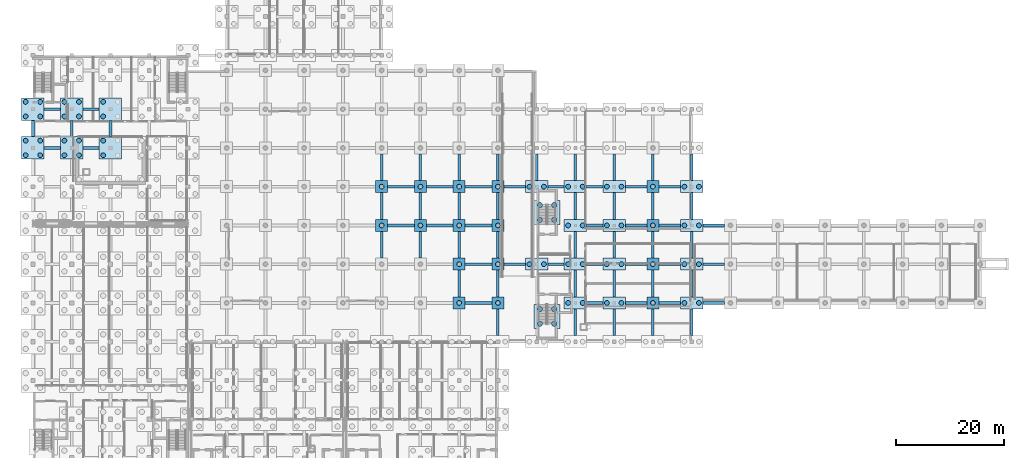
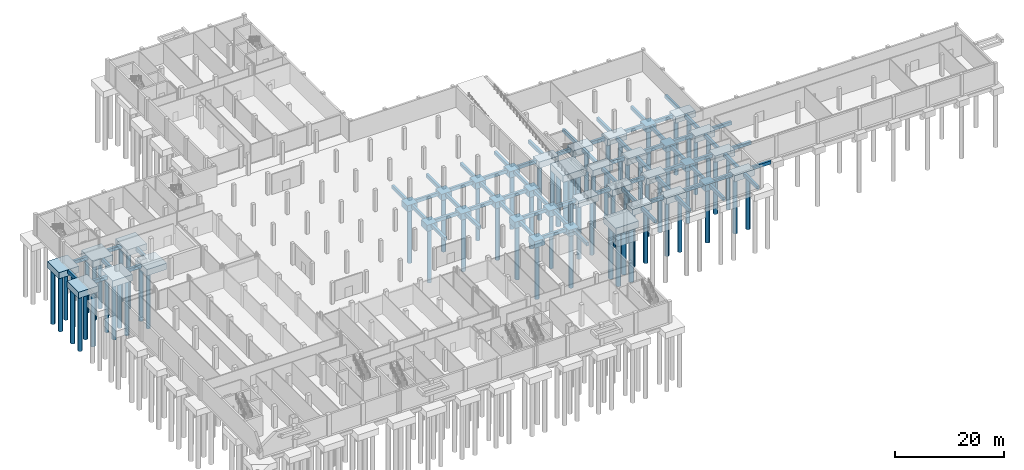
# One storey, part 5 of 35: 108 footings, 72 piles.
"""IFC4 building model written with IfcOpenShell, lengths in metres."""

from ifc_helpers import new_model, si_unit, direction, frame, origin, origin_2d, place, context, subcontext, project, spatial, rectangle, circle, extrude, material, material_profile, profile_set, type_object, element, save


model = new_model("IFC4")

# Units and contexts
model_context = context("Model", 3, precision=1e-05, world=origin(), true_north=direction((0.0, 1.0)))
body_context = subcontext(model_context, "Body", "Model", "MODEL_VIEW")
ifc_project = project(units=[si_unit("LENGTHUNIT", "METRE"), si_unit("AREAUNIT", "SQUARE_METRE"), si_unit("VOLUMEUNIT", "CUBIC_METRE"), si_unit("PLANEANGLEUNIT", "RADIAN"), si_unit("MASSUNIT", "GRAM", prefix="KILO")], contexts=[model_context])

# Site, building, storey
site_placement = place(None, origin())
site = spatial("IfcSite", under=ifc_project, at=site_placement, CompositionType="ELEMENT")
building_placement = place(site_placement, origin())
building = spatial("IfcBuilding", under=site, at=building_placement, Name="Zarrinpeak Specialist Clinic", CompositionType="ELEMENT")
storey_placement = place(building_placement, frame((0.0, 0.0, -4.800048828125)))
storey = spatial("IfcBuildingStorey", under=building, at=storey_placement, Name="B01", CompositionType="ELEMENT", Elevation=-4.800048828125)

# Footings
ifc_material = material(Name="Concrete C40/50", Category="concrete")
ifc_material_profile_1 = material_profile(ifc_material, rectangle(XDim=0.5, YDim=0.75, at=origin_2d()), Name="RC 500x750")
ifc_profile_set_1 = profile_set([ifc_material_profile_1], Name="Concrete C40/50")
footing_type_1 = type_object("IfcFootingType", Name="FT-GB1", PredefinedType="FOOTING_BEAM", material=ifc_profile_set_1)
footing_1_placement = place(storey_placement, frame((80.300048828125, 36.0, -0.77490234375), z_axis=(1.0, 0.0, 0.0), x_axis=(0.0, 1.0, 0.0)))
element("IfcFooting", 1, at=footing_1_placement, inside=storey, type_object=footing_type_1, Name="Continuous Ground Tie Beam GB-069", PredefinedType="FOOTING_BEAM", context=body_context, shape_type="SweptSolid", body=[
    extrude(rectangle(XDim=0.5, YDim=0.75, at=origin_2d()), origin(), (0.0, 0.0, 1.0), 5.0),
])
footing_2_placement = place(storey_placement, frame((102.89990234375, 36.0, -0.77490234375), z_axis=(1.0, 0.0, 0.0), x_axis=(0.0, 1.0, 0.0)))
element("IfcFooting", 2, at=footing_2_placement, inside=storey, type_object=footing_type_1, Name="Continuous Ground Tie Beam GB-070", PredefinedType="FOOTING_BEAM", context=body_context, shape_type="SweptSolid", body=[
    extrude(rectangle(XDim=0.5, YDim=0.75, at=origin_2d()), origin(), (0.0, 0.0, 1.0), 3.0),
])
for number, where, z_axis, x_axis, name in (
    (3, (110.10009765625, 36.0, -0.77490234375), (1.0, 0.0, 0.0), (0.0, 1.0, 0.0), "Continuous Ground Tie Beam GB-071"),
    (4, (116.300048828125, 36.0, -0.77490234375), (1.0, 0.0, 0.0), (0.0, 1.0, 0.0), "Continuous Ground Tie Beam GB-072"),
    (5, (124.5, 36.0, -0.77490234375), (1.0, 0.0, 0.0), (0.0, 1.0, 0.0), "Continuous Ground Tie Beam GB-073"),
):
    element("IfcFooting", number, at=place(storey_placement, frame(where, z_axis=z_axis, x_axis=x_axis)), inside=storey, type_object=footing_type_1, Name=name, PredefinedType="FOOTING_BEAM", context=body_context, shape_type="SweptSolid", body=[
        extrude(rectangle(XDim=0.5, YDim=0.75, at=origin_2d()), origin(), (0.0, 0.0, 1.0), 4.0),
    ])
footing_3_placement = place(storey_placement, frame((80.300048828125, 43.199951171875, -0.77490234375), z_axis=(1.0, 0.0, 0.0), x_axis=(0.0, 1.0, 0.0)))
element("IfcFooting", 6, at=footing_3_placement, inside=storey, type_object=footing_type_1, Name="Continuous Ground Tie Beam GB-091", PredefinedType="FOOTING_BEAM", context=body_context, shape_type="SweptSolid", body=[
    extrude(rectangle(XDim=0.5, YDim=0.75, at=origin_2d()), origin(), (0.0, 0.0, 1.0), 5.0),
])
footing_4_placement = place(storey_placement, frame((87.5, 43.199951171875, -0.77490234375), z_axis=(1.0, 0.0, 0.0), x_axis=(0.0, 1.0, 0.0)))
element("IfcFooting", 7, at=footing_4_placement, inside=storey, type_object=footing_type_1, Name="Continuous Ground Tie Beam GB-092", PredefinedType="FOOTING_BEAM", context=body_context, shape_type="SweptSolid", body=[
    extrude(rectangle(XDim=0.5, YDim=0.75, at=origin_2d()), origin(), (0.0, 0.0, 1.0), 4.0),
])
for number, where, z_axis, x_axis, name in (
    (8, (95.699951171875, 43.199951171875, -0.77490234375), (1.0, 0.0, 0.0), (0.0, 1.0, 0.0), "Continuous Ground Tie Beam GB-093"),
    (9, (102.89990234375, 43.199951171875, -0.77490234375), (1.0, 0.0, 0.0), (0.0, 1.0, 0.0), "Continuous Ground Tie Beam GB-094"),
):
    element("IfcFooting", number, at=place(storey_placement, frame(where, z_axis=z_axis, x_axis=x_axis)), inside=storey, type_object=footing_type_1, Name=name, PredefinedType="FOOTING_BEAM", context=body_context, shape_type="SweptSolid", body=[
        extrude(rectangle(XDim=0.5, YDim=0.75, at=origin_2d()), origin(), (0.0, 0.0, 1.0), 3.0),
    ])
for number, where, z_axis, x_axis, name in (
    (10, (110.10009765625, 43.199951171875, -0.77490234375), (1.0, 0.0, 0.0), (0.0, 1.0, 0.0), "Continuous Ground Tie Beam GB-095"),
    (11, (116.300048828125, 43.199951171875, -0.77490234375), (1.0, 0.0, 0.0), (0.0, 1.0, 0.0), "Continuous Ground Tie Beam GB-096"),
    (12, (124.5, 43.199951171875, -0.77490234375), (1.0, 0.0, 0.0), (0.0, 1.0, 0.0), "Continuous Ground Tie Beam GB-097"),
):
    element("IfcFooting", number, at=place(storey_placement, frame(where, z_axis=z_axis, x_axis=x_axis)), inside=storey, type_object=footing_type_1, Name=name, PredefinedType="FOOTING_BEAM", context=body_context, shape_type="SweptSolid", body=[
        extrude(rectangle(XDim=0.5, YDim=0.75, at=origin_2d()), origin(), (0.0, 0.0, 1.0), 4.0),
    ])
for number, where, z_axis, x_axis, name in (
    (13, (65.89990234375, 50.39990234375, -0.77490234375), (1.0, 0.0, 0.0), (0.0, 1.0, 0.0), "Continuous Ground Tie Beam GB-108"),
    (14, (73.10009765625, 50.39990234375, -0.77490234375), (1.0, 0.0, 0.0), (0.0, 1.0, 0.0), "Continuous Ground Tie Beam GB-109"),
    (15, (80.300048828125, 50.39990234375, -0.77490234375), (1.0, 0.0, 0.0), (0.0, 1.0, 0.0), "Continuous Ground Tie Beam GB-110"),
):
    element("IfcFooting", number, at=place(storey_placement, frame(where, z_axis=z_axis, x_axis=x_axis)), inside=storey, type_object=footing_type_1, Name=name, PredefinedType="FOOTING_BEAM", context=body_context, shape_type="SweptSolid", body=[
        extrude(rectangle(XDim=0.5, YDim=0.75, at=origin_2d()), origin(), (0.0, 0.0, 1.0), 5.0),
    ])
footing_5_placement = place(storey_placement, frame((102.89990234375, 50.39990234375, -0.77490234375), z_axis=(1.0, 0.0, 0.0), x_axis=(0.0, 1.0, 0.0)))
element("IfcFooting", 16, at=footing_5_placement, inside=storey, type_object=footing_type_1, Name="Continuous Ground Tie Beam GB-111", PredefinedType="FOOTING_BEAM", context=body_context, shape_type="SweptSolid", body=[
    extrude(rectangle(XDim=0.5, YDim=0.75, at=origin_2d()), origin(), (0.0, 0.0, 1.0), 3.0),
])
for number, where, z_axis, x_axis, name in (
    (17, (110.10009765625, 50.39990234375, -0.77490234375), (1.0, 0.0, 0.0), (0.0, 1.0, 0.0), "Continuous Ground Tie Beam GB-112"),
    (18, (116.300048828125, 50.39990234375, -0.77490234375), (1.0, 0.0, 0.0), (0.0, 1.0, 0.0), "Continuous Ground Tie Beam GB-113"),
    (19, (124.5, 50.39990234375, -0.77490234375), (1.0, 0.0, 0.0), (0.0, 1.0, 0.0), "Continuous Ground Tie Beam GB-114"),
):
    element("IfcFooting", number, at=place(storey_placement, frame(where, z_axis=z_axis, x_axis=x_axis)), inside=storey, type_object=footing_type_1, Name=name, PredefinedType="FOOTING_BEAM", context=body_context, shape_type="SweptSolid", body=[
        extrude(rectangle(XDim=0.5, YDim=0.75, at=origin_2d()), origin(), (0.0, 0.0, 1.0), 4.0),
    ])
for number, where, z_axis, x_axis, name in (
    (20, (65.89990234375, 57.60009765625, -0.77490234375), (1.0, 0.0, 0.0), (0.0, 1.0, 0.0), "Continuous Ground Tie Beam GB-134"),
    (21, (73.10009765625, 57.60009765625, -0.77490234375), (1.0, 0.0, 0.0), (0.0, 1.0, 0.0), "Continuous Ground Tie Beam GB-135"),
    (22, (80.300048828125, 57.60009765625, -0.77490234375), (1.0, 0.0, 0.0), (0.0, 1.0, 0.0), "Continuous Ground Tie Beam GB-136"),
):
    element("IfcFooting", number, at=place(storey_placement, frame(where, z_axis=z_axis, x_axis=x_axis)), inside=storey, type_object=footing_type_1, Name=name, PredefinedType="FOOTING_BEAM", context=body_context, shape_type="SweptSolid", body=[
        extrude(rectangle(XDim=0.5, YDim=0.75, at=origin_2d()), origin(), (0.0, 0.0, 1.0), 5.0),
    ])
footing_6_placement = place(storey_placement, frame((87.5, 57.60009765625, -0.77490234375), z_axis=(1.0, 0.0, 0.0), x_axis=(0.0, 1.0, 0.0)))
element("IfcFooting", 23, at=footing_6_placement, inside=storey, type_object=footing_type_1, Name="Continuous Ground Tie Beam GB-137", PredefinedType="FOOTING_BEAM", context=body_context, shape_type="SweptSolid", body=[
    extrude(rectangle(XDim=0.5, YDim=0.75, at=origin_2d()), origin(), (0.0, 0.0, 1.0), 4.0),
])
for number, where, z_axis, x_axis, name in (
    (24, (95.699951171875, 57.60009765625, -0.77490234375), (1.0, 0.0, 0.0), (0.0, 1.0, 0.0), "Continuous Ground Tie Beam GB-138"),
    (25, (102.89990234375, 57.60009765625, -0.77490234375), (1.0, 0.0, 0.0), (0.0, 1.0, 0.0), "Continuous Ground Tie Beam GB-139"),
):
    element("IfcFooting", number, at=place(storey_placement, frame(where, z_axis=z_axis, x_axis=x_axis)), inside=storey, type_object=footing_type_1, Name=name, PredefinedType="FOOTING_BEAM", context=body_context, shape_type="SweptSolid", body=[
        extrude(rectangle(XDim=0.5, YDim=0.75, at=origin_2d()), origin(), (0.0, 0.0, 1.0), 3.0),
    ])
for number, where, z_axis, x_axis, name in (
    (26, (110.10009765625, 57.60009765625, -0.77490234375), (1.0, 0.0, 0.0), (0.0, 1.0, 0.0), "Continuous Ground Tie Beam GB-140"),
    (27, (116.300048828125, 57.60009765625, -0.77490234375), (1.0, 0.0, 0.0), (0.0, 1.0, 0.0), "Continuous Ground Tie Beam GB-141"),
):
    element("IfcFooting", number, at=place(storey_placement, frame(where, z_axis=z_axis, x_axis=x_axis)), inside=storey, type_object=footing_type_1, Name=name, PredefinedType="FOOTING_BEAM", context=body_context, shape_type="SweptSolid", body=[
        extrude(rectangle(XDim=0.5, YDim=0.75, at=origin_2d()), origin(), (0.0, 0.0, 1.0), 4.0),
    ])
for number, where, z_axis, x_axis, name in (
    (28, (2.10009765625, 64.800048828125, -0.77490234375), (1.0, 0.0, 0.0), (0.0, 1.0, 0.0), "Continuous Ground Tie Beam GB-142"),
    (29, (9.300048828125, 64.800048828125, -0.77490234375), (1.0, 0.0, 0.0), (0.0, 1.0, 0.0), "Continuous Ground Tie Beam GB-143"),
    (30, (2.10009765625, 72.0, -0.77490234375), (1.0, 0.0, 0.0), (0.0, 1.0, 0.0), "Continuous Ground Tie Beam GB-159"),
    (31, (9.300048828125, 72.0, -0.77490234375), (1.0, 0.0, 0.0), (0.0, 1.0, 0.0), "Continuous Ground Tie Beam GB-160"),
    (32, (0.0, 66.89990234375, -0.77490234375), (0.0, 1.0, 0.0), (-1.0, 0.0, 0.0), "Continuous Ground Tie Beam GB-214"),
    (33, (7.199951171875, 66.89990234375, -0.77490234375), (0.0, 1.0, 0.0), (-1.0, 0.0, 0.0), "Continuous Ground Tie Beam GB-224"),
    (34, (14.39990234375, 66.89990234375, -0.77490234375), (0.0, 1.0, 0.0), (-1.0, 0.0, 0.0), "Continuous Ground Tie Beam GB-235"),
):
    element("IfcFooting", number, at=place(storey_placement, frame(where, z_axis=z_axis, x_axis=x_axis)), inside=storey, type_object=footing_type_1, Name=name, PredefinedType="FOOTING_BEAM", context=body_context, shape_type="SweptSolid", body=[
        extrude(rectangle(XDim=0.5, YDim=0.75, at=origin_2d()), origin(), (0.0, 0.0, 1.0), 3.0),
    ])
for number, where, z_axis, x_axis, name in (
    (35, (64.800048828125, 44.300048828125, -0.77490234375), (0.0, 1.0, 0.0), (-1.0, 0.0, 0.0), "Continuous Ground Tie Beam GB-317"),
    (36, (64.800048828125, 51.5, -0.77490234375), (0.0, 1.0, 0.0), (-1.0, 0.0, 0.0), "Continuous Ground Tie Beam GB-318"),
    (37, (64.800048828125, 58.699951171875, -0.77490234375), (0.0, 1.0, 0.0), (-1.0, 0.0, 0.0), "Continuous Ground Tie Beam GB-319"),
    (38, (72.0, 44.300048828125, -0.77490234375), (0.0, 1.0, 0.0), (-1.0, 0.0, 0.0), "Continuous Ground Tie Beam GB-331"),
    (39, (72.0, 51.5, -0.77490234375), (0.0, 1.0, 0.0), (-1.0, 0.0, 0.0), "Continuous Ground Tie Beam GB-332"),
    (40, (72.0, 58.699951171875, -0.77490234375), (0.0, 1.0, 0.0), (-1.0, 0.0, 0.0), "Continuous Ground Tie Beam GB-333"),
    (41, (79.199951171875, 37.10009765625, -0.77490234375), (0.0, 1.0, 0.0), (-1.0, 0.0, 0.0), "Continuous Ground Tie Beam GB-341"),
    (42, (79.199951171875, 44.300048828125, -0.77490234375), (0.0, 1.0, 0.0), (-1.0, 0.0, 0.0), "Continuous Ground Tie Beam GB-342"),
    (43, (79.199951171875, 51.5, -0.77490234375), (0.0, 1.0, 0.0), (-1.0, 0.0, 0.0), "Continuous Ground Tie Beam GB-343"),
    (44, (79.199951171875, 58.699951171875, -0.77490234375), (0.0, 1.0, 0.0), (-1.0, 0.0, 0.0), "Continuous Ground Tie Beam GB-344"),
    (45, (86.39990234375, 29.89990234375, -0.77490234375), (0.0, 1.0, 0.0), (-1.0, 0.0, 0.0), "Continuous Ground Tie Beam GB-349"),
    (46, (86.39990234375, 37.10009765625, -0.77490234375), (0.0, 1.0, 0.0), (-1.0, 0.0, 0.0), "Continuous Ground Tie Beam GB-350"),
    (47, (86.39990234375, 44.300048828125, -0.77490234375), (0.0, 1.0, 0.0), (-1.0, 0.0, 0.0), "Continuous Ground Tie Beam GB-351"),
    (48, (86.39990234375, 51.5, -0.77490234375), (0.0, 1.0, 0.0), (-1.0, 0.0, 0.0), "Continuous Ground Tie Beam GB-352"),
    (49, (86.39990234375, 58.699951171875, -0.77490234375), (0.0, 1.0, 0.0), (-1.0, 0.0, 0.0), "Continuous Ground Tie Beam GB-353"),
    (50, (93.60009765625, 58.699951171875, -0.77490234375), (0.0, 1.0, 0.0), (-1.0, 0.0, 0.0), "Continuous Ground Tie Beam GB-356"),
    (51, (100.800048828125, 29.89990234375, -0.77490234375), (0.0, 1.0, 0.0), (-1.0, 0.0, 0.0), "Continuous Ground Tie Beam GB-358"),
    (52, (100.800048828125, 37.10009765625, -0.77490234375), (0.0, 1.0, 0.0), (-1.0, 0.0, 0.0), "Continuous Ground Tie Beam GB-359"),
    (53, (100.800048828125, 44.300048828125, -0.77490234375), (0.0, 1.0, 0.0), (-1.0, 0.0, 0.0), "Continuous Ground Tie Beam GB-360"),
    (54, (100.800048828125, 51.5, -0.77490234375), (0.0, 1.0, 0.0), (-1.0, 0.0, 0.0), "Continuous Ground Tie Beam GB-361"),
    (55, (100.800048828125, 58.699951171875, -0.77490234375), (0.0, 1.0, 0.0), (-1.0, 0.0, 0.0), "Continuous Ground Tie Beam GB-362"),
    (56, (108.0, 29.89990234375, -0.77490234375), (0.0, 1.0, 0.0), (-1.0, 0.0, 0.0), "Continuous Ground Tie Beam GB-364"),
    (57, (108.0, 37.10009765625, -0.77490234375), (0.0, 1.0, 0.0), (-1.0, 0.0, 0.0), "Continuous Ground Tie Beam GB-365"),
    (58, (108.0, 44.300048828125, -0.77490234375), (0.0, 1.0, 0.0), (-1.0, 0.0, 0.0), "Continuous Ground Tie Beam GB-366"),
    (59, (108.0, 51.5, -0.77490234375), (0.0, 1.0, 0.0), (-1.0, 0.0, 0.0), "Continuous Ground Tie Beam GB-367"),
    (60, (108.0, 58.699951171875, -0.77490234375), (0.0, 1.0, 0.0), (-1.0, 0.0, 0.0), "Continuous Ground Tie Beam GB-368"),
    (61, (115.199951171875, 29.89990234375, -0.77490234375), (0.0, 1.0, 0.0), (-1.0, 0.0, 0.0), "Continuous Ground Tie Beam GB-370"),
    (62, (115.199951171875, 37.10009765625, -0.77490234375), (0.0, 1.0, 0.0), (-1.0, 0.0, 0.0), "Continuous Ground Tie Beam GB-371"),
    (63, (115.199951171875, 44.300048828125, -0.77490234375), (0.0, 1.0, 0.0), (-1.0, 0.0, 0.0), "Continuous Ground Tie Beam GB-372"),
    (64, (115.199951171875, 51.5, -0.77490234375), (0.0, 1.0, 0.0), (-1.0, 0.0, 0.0), "Continuous Ground Tie Beam GB-373"),
    (65, (115.199951171875, 58.699951171875, -0.77490234375), (0.0, 1.0, 0.0), (-1.0, 0.0, 0.0), "Continuous Ground Tie Beam GB-374"),
    (66, (122.39990234375, 29.89990234375, -0.77490234375), (0.0, 1.0, 0.0), (-1.0, 0.0, 0.0), "Continuous Ground Tie Beam GB-376"),
    (67, (122.39990234375, 37.10009765625, -0.77490234375), (0.0, 1.0, 0.0), (-1.0, 0.0, 0.0), "Continuous Ground Tie Beam GB-377"),
    (68, (122.39990234375, 44.300048828125, -0.77490234375), (0.0, 1.0, 0.0), (-1.0, 0.0, 0.0), "Continuous Ground Tie Beam GB-378"),
    (69, (122.39990234375, 51.5, -0.77490234375), (0.0, 1.0, 0.0), (-1.0, 0.0, 0.0), "Continuous Ground Tie Beam GB-379"),
    (70, (122.39990234375, 58.699951171875, -0.77490234375), (0.0, 1.0, 0.0), (-1.0, 0.0, 0.0), "Continuous Ground Tie Beam GB-380"),
):
    element("IfcFooting", number, at=place(storey_placement, frame(where, z_axis=z_axis, x_axis=x_axis)), inside=storey, type_object=footing_type_1, Name=name, PredefinedType="FOOTING_BEAM", context=body_context, shape_type="SweptSolid", body=[
        extrude(rectangle(XDim=0.5, YDim=0.75, at=origin_2d()), origin(), (0.0, 0.0, 1.0), 5.0),
    ])
footing_type_2 = type_object("IfcFootingType", Name="FT-PC1", PredefinedType="PILE_CAP", material=ifc_material)
for number, where, z_axis, x_axis, name in (
    (71, (64.800048828125, 50.39990234375, -1.7998046875), (0.0, 0.0, 1.0), (1.0, 0.0, 0.0), "Combined Pile Cap CAP-134 (B01-C1)"),
    (72, (64.800048828125, 57.60009765625, -1.7998046875), (0.0, 0.0, 1.0), (1.0, 0.0, 0.0), "Combined Pile Cap CAP-135 (B01-C1)"),
    (73, (72.0, 50.39990234375, -1.7998046875), (0.0, 0.0, 1.0), (1.0, 0.0, 0.0), "Combined Pile Cap CAP-151 (B01-C1)"),
    (74, (72.0, 57.60009765625, -1.7998046875), (0.0, 0.0, 1.0), (1.0, 0.0, 0.0), "Combined Pile Cap CAP-152 (B01-C1)"),
    (75, (79.199951171875, 36.0, -1.7998046875), (0.0, 0.0, 1.0), (1.0, 0.0, 0.0), "Combined Pile Cap CAP-161 (B01-C1)"),
    (76, (79.199951171875, 43.199951171875, -1.7998046875), (0.0, 0.0, 1.0), (1.0, 0.0, 0.0), "Combined Pile Cap CAP-162 (B01-C1)"),
    (77, (79.199951171875, 50.39990234375, -1.7998046875), (0.0, 0.0, 1.0), (1.0, 0.0, 0.0), "Combined Pile Cap CAP-163 (B01-C1)"),
    (78, (79.199951171875, 57.60009765625, -1.7998046875), (0.0, 0.0, 1.0), (1.0, 0.0, 0.0), "Combined Pile Cap CAP-164 (B01-C1)"),
    (79, (86.39990234375, 36.0, -1.7998046875), (0.0, 0.0, 1.0), (1.0, 0.0, 0.0), "Combined Pile Cap CAP-172 (B01-C1)"),
    (80, (86.39990234375, 43.199951171875, -1.7998046875), (0.0, 0.0, 1.0), (1.0, 0.0, 0.0), "Combined Pile Cap CAP-173 (B01-C1)"),
    (81, (86.39990234375, 50.39990234375, -1.7998046875), (0.0, 0.0, 1.0), (1.0, 0.0, 0.0), "Combined Pile Cap CAP-174 (B01-C1)"),
    (82, (86.39990234375, 57.60009765625, -1.7998046875), (0.0, 0.0, 1.0), (1.0, 0.0, 0.0), "Combined Pile Cap CAP-175 (B01-C1)"),
    (83, (115.199951171875, 36.0, -1.7998046875), (0.0, 0.0, 1.0), (1.0, 0.0, 0.0), "Combined Pile Cap CAP-199 (V3)"),
    (84, (115.199951171875, 43.199951171875, -1.7998046875), (0.0, 0.0, 1.0), (1.0, 0.0, 0.0), "Combined Pile Cap CAP-200 (V3)"),
    (85, (115.199951171875, 50.39990234375, -1.7998046875), (0.0, 0.0, 1.0), (1.0, 0.0, 0.0), "Combined Pile Cap CAP-201 (V3)"),
    (86, (115.199951171875, 57.60009765625, -1.7998046875), (0.0, 0.0, 1.0), (1.0, 0.0, 0.0), "Combined Pile Cap CAP-202 (V3)"),
):
    element("IfcFooting", number, at=place(storey_placement, frame(where, z_axis=z_axis, x_axis=x_axis)), inside=storey, type_object=footing_type_2, Name=name, PredefinedType="PILE_CAP", context=body_context, shape_type="SweptSolid", body=[
        extrude(rectangle(XDim=2.199951171875, YDim=2.199951171875, at=origin_2d()), origin(), (0.0, 0.0, 1.0), 1.39990234375),
    ])
footing_type_3 = type_object("IfcFootingType", Name="FT-PC2", PredefinedType="PILE_CAP", material=ifc_material)
for number, where, z_axis, x_axis, name in (
    (87, (93.60009765625, 43.199951171875, -1.7998046875), (0.0, 0.0, 1.0), (1.0, 0.0, 0.0), "Combined Pile Cap CAP-180 (V3)"),
    (88, (93.60009765625, 57.60009765625, -1.7998046875), (0.0, 0.0, 1.0), (1.0, 0.0, 0.0), "Combined Pile Cap CAP-181 (V3)"),
    (89, (100.800048828125, 36.0, -1.7998046875), (0.0, 0.0, 1.0), (1.0, 0.0, 0.0), "Combined Pile Cap CAP-185 (V3)"),
    (90, (100.800048828125, 43.199951171875, -1.7998046875), (0.0, 0.0, 1.0), (1.0, 0.0, 0.0), "Combined Pile Cap CAP-186 (V3)"),
    (91, (100.800048828125, 50.39990234375, -1.7998046875), (0.0, 0.0, 1.0), (1.0, 0.0, 0.0), "Combined Pile Cap CAP-187 (V3)"),
    (92, (100.800048828125, 57.60009765625, -1.7998046875), (0.0, 0.0, 1.0), (1.0, 0.0, 0.0), "Combined Pile Cap CAP-188 (V3)"),
    (93, (108.0, 36.0, -1.7998046875), (0.0, 0.0, 1.0), (1.0, 0.0, 0.0), "Combined Pile Cap CAP-192 (V3)"),
    (94, (108.0, 43.199951171875, -1.7998046875), (0.0, 0.0, 1.0), (1.0, 0.0, 0.0), "Combined Pile Cap CAP-193 (V3)"),
    (95, (108.0, 50.39990234375, -1.7998046875), (0.0, 0.0, 1.0), (1.0, 0.0, 0.0), "Combined Pile Cap CAP-194 (V3)"),
    (96, (108.0, 57.60009765625, -1.7998046875), (0.0, 0.0, 1.0), (1.0, 0.0, 0.0), "Combined Pile Cap CAP-195 (V3)"),
    (97, (122.39990234375, 36.0, -1.7998046875), (0.0, 0.0, 1.0), (1.0, 0.0, 0.0), "Combined Pile Cap CAP-206 (V3)"),
    (98, (122.39990234375, 43.199951171875, -1.7998046875), (0.0, 0.0, 1.0), (1.0, 0.0, 0.0), "Combined Pile Cap CAP-207 (V3)"),
    (99, (122.39990234375, 50.39990234375, -1.7998046875), (0.0, 0.0, 1.0), (1.0, 0.0, 0.0), "Combined Pile Cap CAP-208 (V3)"),
    (100, (122.39990234375, 57.60009765625, -1.7998046875), (0.0, 0.0, 1.0), (1.0, 0.0, 0.0), "Combined Pile Cap CAP-209 (V3)"),
):
    element("IfcFooting", number, at=place(storey_placement, frame(where, z_axis=z_axis, x_axis=x_axis)), inside=storey, type_object=footing_type_3, Name=name, PredefinedType="PILE_CAP", context=body_context, shape_type="SweptSolid", body=[
        extrude(rectangle(XDim=4.199951171875, YDim=2.199951171875, at=origin_2d()), origin(), (0.0, 0.0, 1.0), 1.39990234375),
    ])
footing_type_4 = type_object("IfcFootingType", Name="FT-PC3", PredefinedType="PILE_CAP", material=ifc_material)
for number, where, z_axis, x_axis, name in (
    (101, (0.0, 64.800048828125, -1.7998046875), (0.0, 0.0, 1.0), (1.0, 0.0, 0.0), "Combined Pile Cap CAP-008 (V5)"),
    (102, (0.0, 72.0, -1.7998046875), (0.0, 0.0, 1.0), (1.0, 0.0, 0.0), "Combined Pile Cap CAP-009 (V5)"),
    (103, (7.199951171875, 64.800048828125, -1.7998046875), (0.0, 0.0, 1.0), (1.0, 0.0, 0.0), "Combined Pile Cap CAP-020 (V5)"),
    (104, (7.199951171875, 72.0, -1.7998046875), (0.0, 0.0, 1.0), (1.0, 0.0, 0.0), "Combined Pile Cap CAP-021 (V5)"),
    (105, (14.39990234375, 64.800048828125, -1.7998046875), (0.0, 0.0, 1.0), (1.0, 0.0, 0.0), "Combined Pile Cap CAP-032 (V5)"),
    (106, (14.39990234375, 72.0, -1.7998046875), (0.0, 0.0, 1.0), (1.0, 0.0, 0.0), "Combined Pile Cap CAP-033 (V5)"),
):
    element("IfcFooting", number, at=place(storey_placement, frame(where, z_axis=z_axis, x_axis=x_axis)), inside=storey, type_object=footing_type_4, Name=name, PredefinedType="PILE_CAP", context=body_context, shape_type="SweptSolid", body=[
        extrude(rectangle(XDim=4.199951171875, YDim=4.199951171875, at=origin_2d()), origin(), (0.0, 0.0, 1.0), 1.39990234375),
    ])
footing_type_5 = type_object("IfcFootingType", Name="FT-PC5", PredefinedType="PILE_CAP", material=ifc_material)
for number, where, z_axis, x_axis, name in (
    (107, (95.52490234375, 33.5, -1.89990234375), (0.0, 0.0, 1.0), (1.0, 0.0, 0.0), "Core Combined Pile Cap CAP-CORE-05"),
    (108, (95.52490234375, 52.800048828125, -1.89990234375), (0.0, 0.0, 1.0), (1.0, 0.0, 0.0), "Core Combined Pile Cap CAP-CORE-06"),
):
    element("IfcFooting", number, at=place(storey_placement, frame(where, z_axis=z_axis, x_axis=x_axis)), inside=storey, type_object=footing_type_5, Name=name, PredefinedType="PILE_CAP", context=body_context, shape_type="SweptSolid", body=[
        extrude(rectangle(XDim=4.800048828125, YDim=4.5, at=origin_2d()), origin(), (0.0, 0.0, 1.0), 1.5),
    ])

# Piles
ifc_material_profile_2 = material_profile(ifc_material, circle(Radius=0.5, at=origin_2d()), Name="BORED PILE D1000")
ifc_profile_set_2 = profile_set([ifc_material_profile_2], Name="Concrete C40/50")
pile_type_1 = type_object("IfcPileType", Name="PL-D1000", PredefinedType="BORED", material=ifc_profile_set_2)
for number, where, z_axis, x_axis, name in (
    (109, (94.175048828125, 32.14990234375, -1.800048828125), (0.0, 0.0, -1.0), (1.0, 0.0, 0.0), "Core Bored Pile FP-CORE-05-1"),
    (110, (96.875, 32.14990234375, -1.800048828125), (0.0, 0.0, -1.0), (1.0, 0.0, 0.0), "Core Bored Pile FP-CORE-05-2"),
    (111, (94.175048828125, 34.85009765625, -1.800048828125), (0.0, 0.0, -1.0), (1.0, 0.0, 0.0), "Core Bored Pile FP-CORE-05-3"),
    (112, (96.875, 34.85009765625, -1.800048828125), (0.0, 0.0, -1.0), (1.0, 0.0, 0.0), "Core Bored Pile FP-CORE-05-4"),
    (113, (94.175048828125, 51.449951171875, -1.800048828125), (0.0, 0.0, -1.0), (1.0, 0.0, 0.0), "Core Bored Pile FP-CORE-06-1"),
    (114, (96.875, 51.449951171875, -1.800048828125), (0.0, 0.0, -1.0), (1.0, 0.0, 0.0), "Core Bored Pile FP-CORE-06-2"),
    (115, (94.175048828125, 54.14990234375, -1.800048828125), (0.0, 0.0, -1.0), (1.0, 0.0, 0.0), "Core Bored Pile FP-CORE-06-3"),
    (116, (96.875, 54.14990234375, -1.800048828125), (0.0, 0.0, -1.0), (1.0, 0.0, 0.0), "Core Bored Pile FP-CORE-06-4"),
):
    element("IfcPile", number, at=place(storey_placement, frame(where, z_axis=z_axis, x_axis=x_axis)), inside=storey, type_object=pile_type_1, Name=name, PredefinedType="BORED", context=body_context, shape_type="SweptSolid", body=[
        extrude(circle(Radius=0.5, at=origin_2d()), origin(), (0.0, 0.0, 1.0), 12.199951171875),
    ])
ifc_material_profile_3 = material_profile(ifc_material, circle(Radius=0.449951171875, at=origin_2d()), Name="BORED PILE D900")
ifc_profile_set_3 = profile_set([ifc_material_profile_3], Name="Concrete C40/50")
pile_type_2 = type_object("IfcPileType", Name="PL-D900", PredefinedType="BORED", material=ifc_profile_set_3)
for number, where, z_axis, x_axis, name in (
    (117, (-1.35009765625, 63.449951171875, -1.699951171875), (0.0, 0.0, -1.0), (1.0, 0.0, 0.0), "Bored Foundation Pile FP-008-1"),
    (118, (1.35009765625, 63.449951171875, -1.699951171875), (0.0, 0.0, -1.0), (1.0, 0.0, 0.0), "Bored Foundation Pile FP-008-2"),
    (119, (-1.35009765625, 66.14990234375, -1.699951171875), (0.0, 0.0, -1.0), (1.0, 0.0, 0.0), "Bored Foundation Pile FP-008-3"),
    (120, (1.35009765625, 66.14990234375, -1.699951171875), (0.0, 0.0, -1.0), (1.0, 0.0, 0.0), "Bored Foundation Pile FP-008-4"),
    (121, (-1.35009765625, 70.64990234375, -1.699951171875), (0.0, 0.0, -1.0), (1.0, 0.0, 0.0), "Bored Foundation Pile FP-009-1"),
    (122, (1.35009765625, 70.64990234375, -1.699951171875), (0.0, 0.0, -1.0), (1.0, 0.0, 0.0), "Bored Foundation Pile FP-009-2"),
    (123, (-1.35009765625, 73.35009765625, -1.699951171875), (0.0, 0.0, -1.0), (1.0, 0.0, 0.0), "Bored Foundation Pile FP-009-3"),
    (124, (1.35009765625, 73.35009765625, -1.699951171875), (0.0, 0.0, -1.0), (1.0, 0.0, 0.0), "Bored Foundation Pile FP-009-4"),
    (125, (5.85009765625, 63.449951171875, -1.699951171875), (0.0, 0.0, -1.0), (1.0, 0.0, 0.0), "Bored Foundation Pile FP-020-1"),
    (126, (8.550048828125, 63.449951171875, -1.699951171875), (0.0, 0.0, -1.0), (1.0, 0.0, 0.0), "Bored Foundation Pile FP-020-2"),
    (127, (5.85009765625, 66.14990234375, -1.699951171875), (0.0, 0.0, -1.0), (1.0, 0.0, 0.0), "Bored Foundation Pile FP-020-3"),
    (128, (8.550048828125, 66.14990234375, -1.699951171875), (0.0, 0.0, -1.0), (1.0, 0.0, 0.0), "Bored Foundation Pile FP-020-4"),
    (129, (5.85009765625, 70.64990234375, -1.699951171875), (0.0, 0.0, -1.0), (1.0, 0.0, 0.0), "Bored Foundation Pile FP-021-1"),
    (130, (8.550048828125, 70.64990234375, -1.699951171875), (0.0, 0.0, -1.0), (1.0, 0.0, 0.0), "Bored Foundation Pile FP-021-2"),
    (131, (5.85009765625, 73.35009765625, -1.699951171875), (0.0, 0.0, -1.0), (1.0, 0.0, 0.0), "Bored Foundation Pile FP-021-3"),
    (132, (8.550048828125, 73.35009765625, -1.699951171875), (0.0, 0.0, -1.0), (1.0, 0.0, 0.0), "Bored Foundation Pile FP-021-4"),
    (133, (13.050048828125, 63.449951171875, -1.699951171875), (0.0, 0.0, -1.0), (1.0, 0.0, 0.0), "Bored Foundation Pile FP-032-1"),
    (134, (13.050048828125, 66.14990234375, -1.699951171875), (0.0, 0.0, -1.0), (1.0, 0.0, 0.0), "Bored Foundation Pile FP-032-3"),
    (135, (13.050048828125, 70.64990234375, -1.699951171875), (0.0, 0.0, -1.0), (1.0, 0.0, 0.0), "Bored Foundation Pile FP-033-1"),
    (136, (13.050048828125, 73.35009765625, -1.699951171875), (0.0, 0.0, -1.0), (1.0, 0.0, 0.0), "Bored Foundation Pile FP-033-3"),
    (137, (64.800048828125, 50.39990234375, -1.699951171875), (0.0, 0.0, -1.0), (1.0, 0.0, 0.0), "Bored Foundation Pile FP-134-1"),
    (138, (64.800048828125, 57.60009765625, -1.699951171875), (0.0, 0.0, -1.0), (1.0, 0.0, 0.0), "Bored Foundation Pile FP-135-1"),
    (139, (72.0, 50.39990234375, -1.699951171875), (0.0, 0.0, -1.0), (1.0, 0.0, 0.0), "Bored Foundation Pile FP-151-1"),
    (140, (72.0, 57.60009765625, -1.699951171875), (0.0, 0.0, -1.0), (1.0, 0.0, 0.0), "Bored Foundation Pile FP-152-1"),
    (141, (79.199951171875, 36.0, -1.699951171875), (0.0, 0.0, -1.0), (1.0, 0.0, 0.0), "Bored Foundation Pile FP-161-1"),
    (142, (79.199951171875, 43.199951171875, -1.699951171875), (0.0, 0.0, -1.0), (1.0, 0.0, 0.0), "Bored Foundation Pile FP-162-1"),
    (143, (79.199951171875, 50.39990234375, -1.699951171875), (0.0, 0.0, -1.0), (1.0, 0.0, 0.0), "Bored Foundation Pile FP-163-1"),
    (144, (79.199951171875, 57.60009765625, -1.699951171875), (0.0, 0.0, -1.0), (1.0, 0.0, 0.0), "Bored Foundation Pile FP-164-1"),
    (145, (86.39990234375, 36.0, -1.699951171875), (0.0, 0.0, -1.0), (1.0, 0.0, 0.0), "Bored Foundation Pile FP-172-1"),
    (146, (86.39990234375, 43.199951171875, -1.699951171875), (0.0, 0.0, -1.0), (1.0, 0.0, 0.0), "Bored Foundation Pile FP-173-1"),
    (147, (86.39990234375, 50.39990234375, -1.699951171875), (0.0, 0.0, -1.0), (1.0, 0.0, 0.0), "Bored Foundation Pile FP-174-1"),
    (148, (86.39990234375, 57.60009765625, -1.699951171875), (0.0, 0.0, -1.0), (1.0, 0.0, 0.0), "Bored Foundation Pile FP-175-1"),
    (149, (92.25, 43.199951171875, -1.699951171875), (0.0, 0.0, -1.0), (1.0, 0.0, 0.0), "Bored Foundation Pile FP-180-1"),
    (150, (94.949951171875, 43.199951171875, -1.699951171875), (0.0, 0.0, -1.0), (1.0, 0.0, 0.0), "Bored Foundation Pile FP-180-2"),
    (151, (92.25, 57.60009765625, -1.699951171875), (0.0, 0.0, -1.0), (1.0, 0.0, 0.0), "Bored Foundation Pile FP-181-1"),
    (152, (94.949951171875, 57.60009765625, -1.699951171875), (0.0, 0.0, -1.0), (1.0, 0.0, 0.0), "Bored Foundation Pile FP-181-2"),
    (153, (99.449951171875, 36.0, -1.699951171875), (0.0, 0.0, -1.0), (1.0, 0.0, 0.0), "Bored Foundation Pile FP-185-1"),
    (154, (102.14990234375, 36.0, -1.699951171875), (0.0, 0.0, -1.0), (1.0, 0.0, 0.0), "Bored Foundation Pile FP-185-2"),
    (155, (99.449951171875, 43.199951171875, -1.699951171875), (0.0, 0.0, -1.0), (1.0, 0.0, 0.0), "Bored Foundation Pile FP-186-1"),
    (156, (102.14990234375, 43.199951171875, -1.699951171875), (0.0, 0.0, -1.0), (1.0, 0.0, 0.0), "Bored Foundation Pile FP-186-2"),
    (157, (99.449951171875, 50.39990234375, -1.699951171875), (0.0, 0.0, -1.0), (1.0, 0.0, 0.0), "Bored Foundation Pile FP-187-1"),
    (158, (102.14990234375, 50.39990234375, -1.699951171875), (0.0, 0.0, -1.0), (1.0, 0.0, 0.0), "Bored Foundation Pile FP-187-2"),
    (159, (99.449951171875, 57.60009765625, -1.699951171875), (0.0, 0.0, -1.0), (1.0, 0.0, 0.0), "Bored Foundation Pile FP-188-1"),
    (160, (102.14990234375, 57.60009765625, -1.699951171875), (0.0, 0.0, -1.0), (1.0, 0.0, 0.0), "Bored Foundation Pile FP-188-2"),
    (161, (106.64990234375, 36.0, -1.699951171875), (0.0, 0.0, -1.0), (1.0, 0.0, 0.0), "Bored Foundation Pile FP-192-1"),
    (162, (109.35009765625, 36.0, -1.699951171875), (0.0, 0.0, -1.0), (1.0, 0.0, 0.0), "Bored Foundation Pile FP-192-2"),
    (163, (106.64990234375, 43.199951171875, -1.699951171875), (0.0, 0.0, -1.0), (1.0, 0.0, 0.0), "Bored Foundation Pile FP-193-1"),
    (164, (109.35009765625, 43.199951171875, -1.699951171875), (0.0, 0.0, -1.0), (1.0, 0.0, 0.0), "Bored Foundation Pile FP-193-2"),
    (165, (106.64990234375, 50.39990234375, -1.699951171875), (0.0, 0.0, -1.0), (1.0, 0.0, 0.0), "Bored Foundation Pile FP-194-1"),
    (166, (109.35009765625, 50.39990234375, -1.699951171875), (0.0, 0.0, -1.0), (1.0, 0.0, 0.0), "Bored Foundation Pile FP-194-2"),
    (167, (106.64990234375, 57.60009765625, -1.699951171875), (0.0, 0.0, -1.0), (1.0, 0.0, 0.0), "Bored Foundation Pile FP-195-1"),
    (168, (109.35009765625, 57.60009765625, -1.699951171875), (0.0, 0.0, -1.0), (1.0, 0.0, 0.0), "Bored Foundation Pile FP-195-2"),
    (169, (115.199951171875, 36.0, -1.699951171875), (0.0, 0.0, -1.0), (1.0, 0.0, 0.0), "Bored Foundation Pile FP-199-1"),
    (170, (115.199951171875, 43.199951171875, -1.699951171875), (0.0, 0.0, -1.0), (1.0, 0.0, 0.0), "Bored Foundation Pile FP-200-1"),
    (171, (115.199951171875, 50.39990234375, -1.699951171875), (0.0, 0.0, -1.0), (1.0, 0.0, 0.0), "Bored Foundation Pile FP-201-1"),
    (172, (115.199951171875, 57.60009765625, -1.699951171875), (0.0, 0.0, -1.0), (1.0, 0.0, 0.0), "Bored Foundation Pile FP-202-1"),
    (173, (121.050048828125, 36.0, -1.699951171875), (0.0, 0.0, -1.0), (1.0, 0.0, 0.0), "Bored Foundation Pile FP-206-1"),
    (174, (123.75, 36.0, -1.699951171875), (0.0, 0.0, -1.0), (1.0, 0.0, 0.0), "Bored Foundation Pile FP-206-2"),
    (175, (121.050048828125, 43.199951171875, -1.699951171875), (0.0, 0.0, -1.0), (1.0, 0.0, 0.0), "Bored Foundation Pile FP-207-1"),
    (176, (123.75, 43.199951171875, -1.699951171875), (0.0, 0.0, -1.0), (1.0, 0.0, 0.0), "Bored Foundation Pile FP-207-2"),
    (177, (121.050048828125, 50.39990234375, -1.699951171875), (0.0, 0.0, -1.0), (1.0, 0.0, 0.0), "Bored Foundation Pile FP-208-1"),
    (178, (123.75, 50.39990234375, -1.699951171875), (0.0, 0.0, -1.0), (1.0, 0.0, 0.0), "Bored Foundation Pile FP-208-2"),
    (179, (121.050048828125, 57.60009765625, -1.699951171875), (0.0, 0.0, -1.0), (1.0, 0.0, 0.0), "Bored Foundation Pile FP-209-1"),
    (180, (123.75, 57.60009765625, -1.699951171875), (0.0, 0.0, -1.0), (1.0, 0.0, 0.0), "Bored Foundation Pile FP-209-2"),
):
    element("IfcPile", number, at=place(storey_placement, frame(where, z_axis=z_axis, x_axis=x_axis)), inside=storey, type_object=pile_type_2, Name=name, PredefinedType="BORED", context=body_context, shape_type="SweptSolid", body=[
        extrude(circle(Radius=0.449951171875, at=origin_2d()), origin(), (0.0, 0.0, 1.0), 12.300048828125),
    ])

save(model, "model.ifc")
